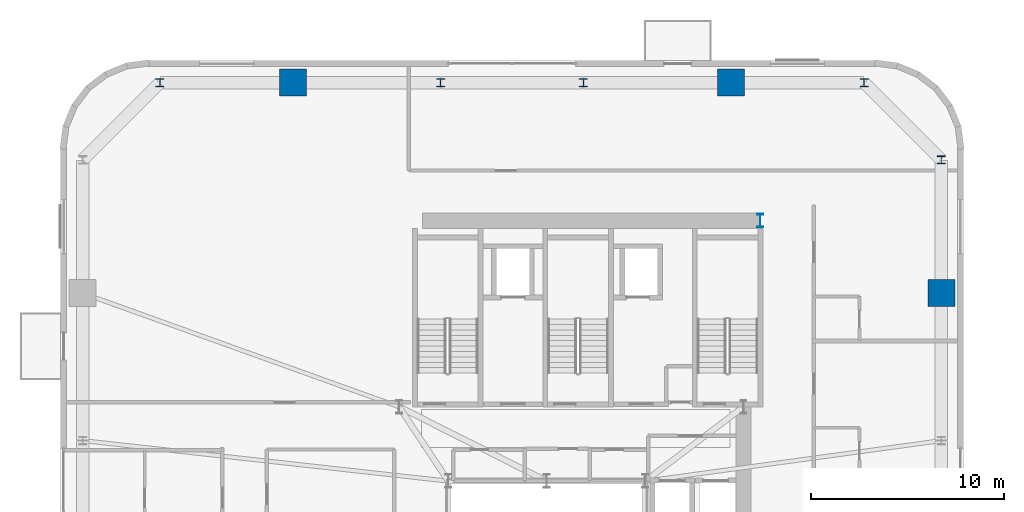
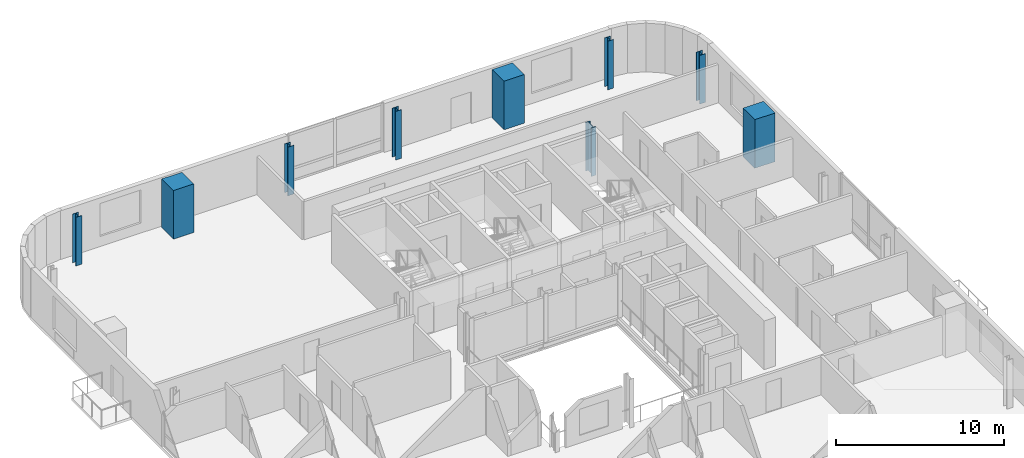
# One storey, part 2 of 13: 9 columns.
"""IFC4 building model written with IfcOpenShell, lengths in metres."""

from ifc_helpers import new_model, si_unit, direction, frame, origin, origin_2d, place, context, subcontext, project, spatial, rectangle, i_section, extrude, source, transform, mapped, material, material_profile, profile_set, type_object, element, save


model = new_model("IFC4")

# Units and contexts
model_context = context("Model", 3, precision=1e-05, world=origin(), true_north=direction((0.0, 1.0)))
body_context = subcontext(model_context, "Body", "Model", "MODEL_VIEW")
ifc_project = project(units=[si_unit("LENGTHUNIT", "METRE"), si_unit("AREAUNIT", "SQUARE_METRE"), si_unit("VOLUMEUNIT", "CUBIC_METRE"), si_unit("PLANEANGLEUNIT", "RADIAN"), si_unit("MASSUNIT", "GRAM", prefix="KILO")], contexts=[model_context])

# Site, building, storey
site_placement = place(None, origin())
site = spatial("IfcSite", under=ifc_project, at=site_placement, CompositionType="ELEMENT")
building_placement = place(site_placement, origin())
building = spatial("IfcBuilding", under=site, at=building_placement, Name="Vardaveli Station Tower", CompositionType="ELEMENT")
storey_placement = place(building_placement, frame((0.0, 0.0, 196.050048828125)))
storey = spatial("IfcBuildingStorey", under=building, at=storey_placement, Name="L50", CompositionType="ELEMENT", Elevation=196.050048828125)

# Columns
ifc_material_1 = material(Name="Structural steel S460M", Category="steel")
ifc_material_profile_1 = material_profile(ifc_material_1, i_section(OverallWidth=0.300048828125, OverallDepth=0.699951171875, WebThickness=0.01708984375, FlangeThickness=0.031982421875, FilletRadius=0.027099609375, at=origin_2d()), Name="HEB 700")
ifc_profile_set_1 = profile_set([ifc_material_profile_1], Name="Structural steel S460M")
column_type_1 = type_object("IfcColumnType", Name="COL-HEB700", PredefinedType="COLUMN", material=ifc_profile_set_1)
shared_shape_1 = source(origin(), body_context, "Body", "SweptSolid", [
    extrude(i_section(OverallWidth=0.300048828125, OverallDepth=0.699951171875, WebThickness=0.01708984375, FlangeThickness=0.031982421875, FilletRadius=0.027099609375, at=origin_2d()), origin(), (0.0, 0.0, 1.0), 3.530029296875),
])
column_placement = place(storey_placement, frame((47.3701171875, 40.300048828125, 0.0), z_axis=(0.0, 0.0, 1.0), x_axis=(1.0, 0.0, 0.0)))
element("IfcColumn", 1, at=column_placement, inside=storey, type_object=column_type_1, Name="COL-L50-CC3", PredefinedType="COLUMN", context=body_context, shape_type="MappedRepresentation", body=[
    mapped(shared_shape_1, transform((0.0, 0.0, 0.0), scale=1.0)),
])
ifc_material_2 = material(Name="Concrete C50/60", Category="concrete")
ifc_material_profile_2 = material_profile(ifc_material_2, rectangle(XDim=1.39990234375, YDim=1.39990234375, at=origin_2d()), Name="MC 1400x1400")
ifc_profile_set_2 = profile_set([ifc_material_profile_2], Name="Concrete C50/60")
column_type_2 = type_object("IfcColumnType", Name="COL-MC-1400", PredefinedType="COLUMN", material=ifc_profile_set_2)
shared_shape_2 = source(origin(), body_context, "Body", "SweptSolid", [
    extrude(rectangle(XDim=1.39990234375, YDim=1.39990234375, at=origin_2d()), origin(), (0.0, 0.0, 1.0), 3.530029296875),
])
for number, where, z_axis, x_axis, name in (
    (2, (56.75, 36.5400390625, 0.0), (0.0, 0.0, 1.0), (1.0, 0.0, 0.0), "COL-L50-MC4"),
    (3, (45.840087890625, 47.449951171875, 0.0), (0.0, 0.0, 1.0), (1.0, 0.0, 0.0), "COL-L50-MC5"),
    (4, (23.159912109375, 47.449951171875, 0.0), (0.0, 0.0, 1.0), (1.0, 0.0, 0.0), "COL-L50-MC6"),
):
    element("IfcColumn", number, at=place(storey_placement, frame(where, z_axis=z_axis, x_axis=x_axis)), inside=storey, type_object=column_type_2, Name=name, PredefinedType="COLUMN", context=body_context, shape_type="MappedRepresentation", body=[
        mapped(shared_shape_2, transform((0.0, 0.0, 0.0), scale=1.0)),
    ])
ifc_material_profile_3 = material_profile(ifc_material_1, i_section(OverallWidth=0.408935546875, OverallDepth=0.4169921875, WebThickness=0.021240234375, FlangeThickness=0.033203125, FilletRadius=0.014892578125, at=origin_2d()), Name="HD 400x347")
ifc_profile_set_3 = profile_set([ifc_material_profile_3], Name="Structural steel S460M")
column_type_3 = type_object("IfcColumnType", Name="COL-HD347", PredefinedType="COLUMN", material=ifc_profile_set_3)
shared_shape_3 = source(origin(), body_context, "Body", "SweptSolid", [
    extrude(i_section(OverallWidth=0.408935546875, OverallDepth=0.4169921875, WebThickness=0.021240234375, FlangeThickness=0.033203125, FilletRadius=0.014892578125, at=origin_2d()), origin(), (0.0, 0.0, 1.0), 3.530029296875),
])
for number, where, z_axis, x_axis, name in (
    (5, (56.75, 43.449951171875, 0.0), (0.0, 0.0, 1.0), (1.0, 0.0, 0.0), "COL-L50-PC08"),
    (6, (52.75, 47.449951171875, 0.0), (0.0, 0.0, 1.0), (1.0, 0.0, 0.0), "COL-L50-PC09"),
    (7, (38.199951171875, 47.449951171875, 0.0), (0.0, 0.0, 1.0), (1.0, 0.0, 0.0), "COL-L50-PC10"),
    (8, (30.800048828125, 47.449951171875, 0.0), (0.0, 0.0, 1.0), (1.0, 0.0, 0.0), "COL-L50-PC11"),
    (9, (16.25, 47.449951171875, 0.0), (0.0, 0.0, 1.0), (1.0, 0.0, 0.0), "COL-L50-PC12"),
):
    element("IfcColumn", number, at=place(storey_placement, frame(where, z_axis=z_axis, x_axis=x_axis)), inside=storey, type_object=column_type_3, Name=name, PredefinedType="COLUMN", context=body_context, shape_type="MappedRepresentation", body=[
        mapped(shared_shape_3, transform((0.0, 0.0, 0.0), scale=1.0)),
    ])

save(model, "model.ifc")
